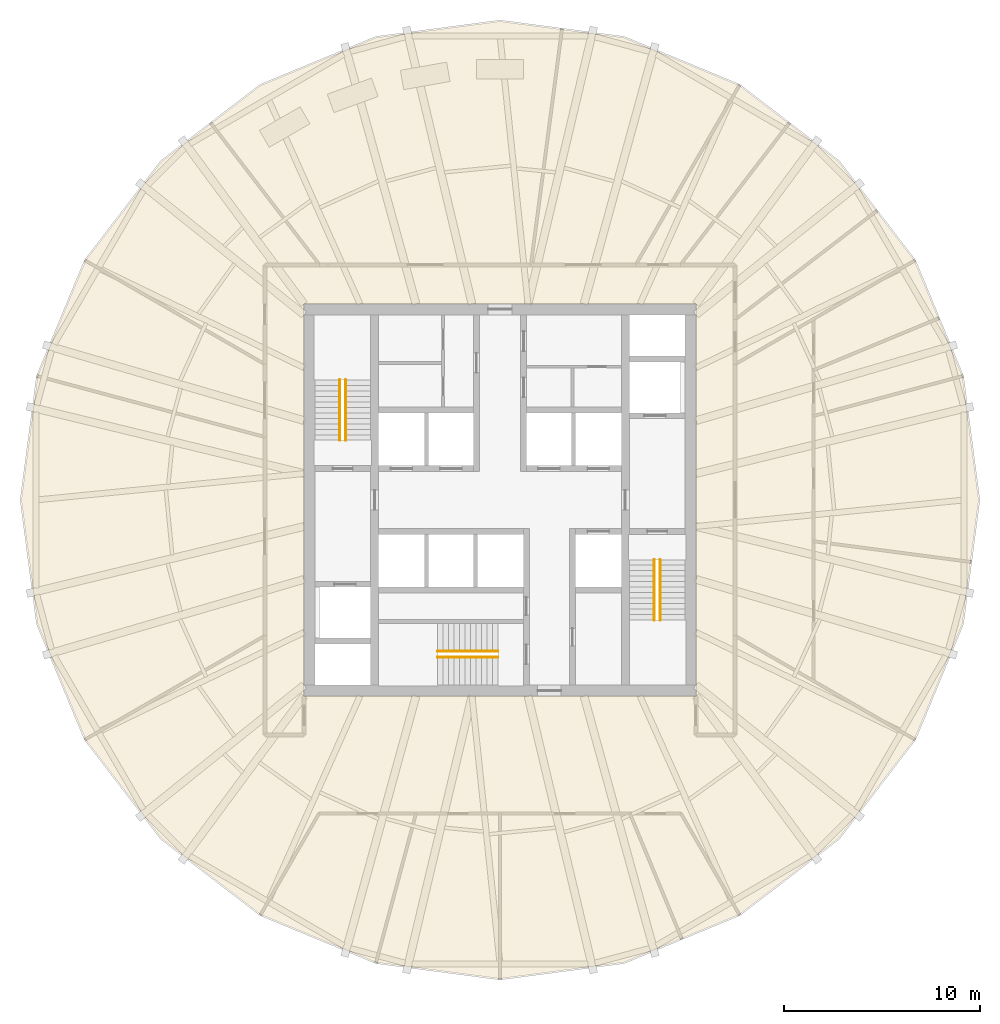
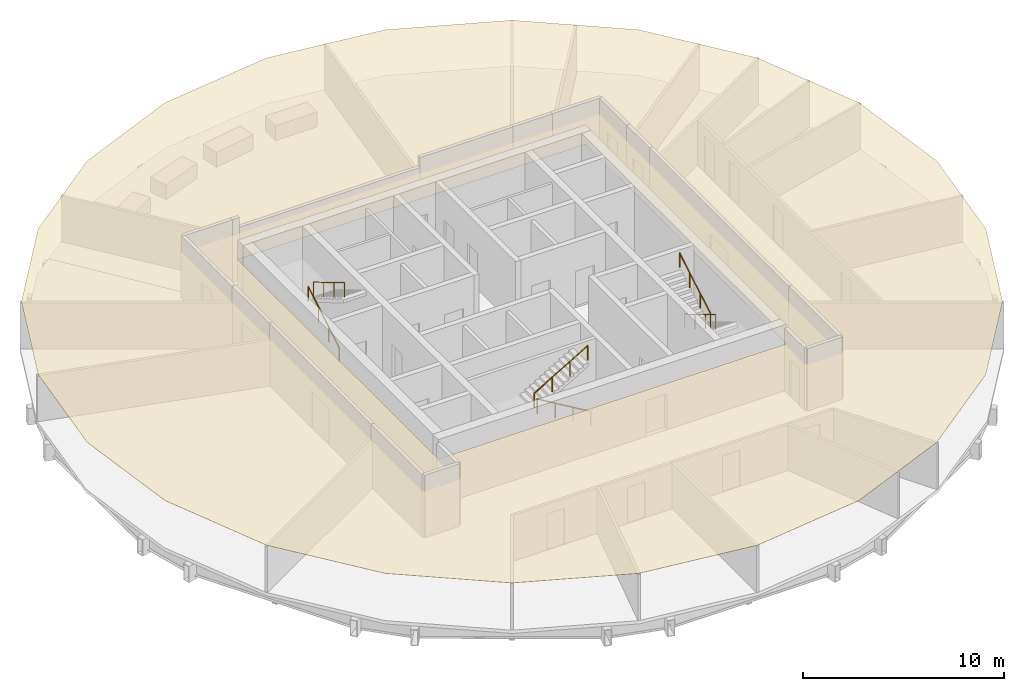
# One storey, part 6 of 7: 6 railings, 1 covering.
"""IFC4 building model written with IfcOpenShell, lengths in metres."""

from ifc_helpers import new_model, si_unit, direction, frame, origin, origin_2d, place, context, subcontext, project, spatial, polyline, circle, outline, extrude, material, layer, layer_set, type_object, element, save


model = new_model("IFC4")

# Units and contexts
model_context = context("Model", 3, precision=1e-05, world=origin(), true_north=direction((0.0, 1.0)))
body_context = subcontext(model_context, "Body", "Model", "MODEL_VIEW")
ifc_project = project(units=[si_unit("LENGTHUNIT", "METRE"), si_unit("AREAUNIT", "SQUARE_METRE"), si_unit("VOLUMEUNIT", "CUBIC_METRE"), si_unit("PLANEANGLEUNIT", "RADIAN"), si_unit("MASSUNIT", "GRAM", prefix="KILO")], contexts=[model_context])

# Site, building, storey
site_placement = place(None, origin())
site = spatial("IfcSite", under=ifc_project, at=site_placement, CompositionType="ELEMENT")
building_placement = place(site_placement, origin())
building = spatial("IfcBuilding", under=site, at=building_placement, Name="Golbaran Civic Tower", CompositionType="ELEMENT")
storey_placement = place(building_placement, frame((0.0, 0.0, 106.0)))
storey = spatial("IfcBuildingStorey", under=building, at=storey_placement, Name="L25", CompositionType="ELEMENT", Elevation=106.0)

# Railings
ifc_material_1 = material(Name="Stainless steel", Category="steel")
railing_type = type_object("IfcRailingType", Name="STAIR HANDRAIL 900", PredefinedType="HANDRAIL", material=ifc_material_1)
railing_1_placement = place(storey_placement, frame((-8.175048828125, 3.050048828125, 0.166748046875)))
element("IfcRailing", 1, at=railing_1_placement, inside=storey, type_object=railing_type, Name="Stair S1 handrail flight 1 L25", PredefinedType="HANDRAIL", context=body_context, shape_type="SweptSolid", body=[
    extrude(circle(Radius=0.02392578125, at=origin_2d()), frame((0.0, 0.0, 0.8759765625), z_axis=(0.0, 0.859290745958, 0.51148745235), x_axis=(-1.0, 0.0, 0.0)), (0.0, 0.0, 1.0), 3.584228515625),
    extrude(circle(Radius=0.02099609375, at=origin_2d()), origin(), (0.0, 0.0, 1.0), 0.851806640625),
    extrude(circle(Radius=0.02099609375, at=origin_2d()), frame((0.0, 1.026611328125, 0.611083984375)), (0.0, 0.0, 1.0), 0.851806640625),
    extrude(circle(Radius=0.02099609375, at=origin_2d()), frame((0.0, 2.05322265625, 1.22216796875)), (0.0, 0.0, 1.0), 0.851806640625),
    extrude(circle(Radius=0.02099609375, at=origin_2d()), frame((0.0, 3.079833984375, 1.833251953125)), (0.0, 0.0, 1.0), 0.851806640625),
])
for number, where, name in (
    (2, (-7.875, 6.1298828125, 2.166748046875), "Stair S1 handrail flight 2 L25"),
    (3, (8.175048828125, -3.050048828125, 0.166748046875), "Stair S2 handrail flight 1 L25"),
):
    element("IfcRailing", number, at=place(storey_placement, frame(where)), inside=storey, type_object=railing_type, Name=name, PredefinedType="HANDRAIL", context=body_context, shape_type="SweptSolid", body=[
        extrude(circle(Radius=0.02392578125, at=origin_2d()), frame((0.0, 0.0, 0.8759765625), z_axis=(0.0, -0.859290745958, 0.51148745235), x_axis=(1.0, 0.0, 0.0)), (0.0, 0.0, 1.0), 3.584228515625),
        extrude(circle(Radius=0.02099609375, at=origin_2d()), origin(), (0.0, 0.0, 1.0), 0.851806640625),
        extrude(circle(Radius=0.02099609375, at=origin_2d()), frame((0.0, -1.026611328125, 0.611083984375)), (0.0, 0.0, 1.0), 0.851806640625),
        extrude(circle(Radius=0.02099609375, at=origin_2d()), frame((0.0, -2.05322265625, 1.22216796875)), (0.0, 0.0, 1.0), 0.851806640625),
        extrude(circle(Radius=0.02099609375, at=origin_2d()), frame((0.0, -3.079833984375, 1.833251953125)), (0.0, 0.0, 1.0), 0.851806640625),
    ])
railing_2_placement = place(storey_placement, frame((7.875, -6.1298828125, 2.166748046875)))
element("IfcRailing", 4, at=railing_2_placement, inside=storey, type_object=railing_type, Name="Stair S2 handrail flight 2 L25", PredefinedType="HANDRAIL", context=body_context, shape_type="SweptSolid", body=[
    extrude(circle(Radius=0.02392578125, at=origin_2d()), frame((0.0, 0.0, 0.8759765625), z_axis=(0.0, 0.859290745958, 0.51148745235), x_axis=(-1.0, 0.0, 0.0)), (0.0, 0.0, 1.0), 3.584228515625),
    extrude(circle(Radius=0.02099609375, at=origin_2d()), origin(), (0.0, 0.0, 1.0), 0.851806640625),
    extrude(circle(Radius=0.02099609375, at=origin_2d()), frame((0.0, 1.026611328125, 0.611083984375)), (0.0, 0.0, 1.0), 0.851806640625),
    extrude(circle(Radius=0.02099609375, at=origin_2d()), frame((0.0, 2.05322265625, 1.22216796875)), (0.0, 0.0, 1.0), 0.851806640625),
    extrude(circle(Radius=0.02099609375, at=origin_2d()), frame((0.0, 3.079833984375, 1.833251953125)), (0.0, 0.0, 1.0), 0.851806640625),
])
railing_3_placement = place(storey_placement, frame((-0.10009765625, -8.02490234375, 0.166748046875)))
element("IfcRailing", 5, at=railing_3_placement, inside=storey, type_object=railing_type, Name="Stair S3 handrail flight 1 L25", PredefinedType="HANDRAIL", context=body_context, shape_type="SweptSolid", body=[
    extrude(circle(Radius=0.02392578125, at=origin_2d()), frame((0.0, 0.0, 0.8759765625), z_axis=(-0.859290745958, 0.0, 0.51148745235), x_axis=(0.0, -1.0, 0.0)), (0.0, 0.0, 1.0), 3.584228515625),
    extrude(circle(Radius=0.02099609375, at=origin_2d()), origin(), (0.0, 0.0, 1.0), 0.851806640625),
    extrude(circle(Radius=0.02099609375, at=origin_2d()), frame((-1.026611328125, 0.0, 0.611083984375)), (0.0, 0.0, 1.0), 0.851806640625),
    extrude(circle(Radius=0.02099609375, at=origin_2d()), frame((-2.05322265625, 0.0, 1.22216796875)), (0.0, 0.0, 1.0), 0.851806640625),
    extrude(circle(Radius=0.02099609375, at=origin_2d()), frame((-3.079833984375, 0.0, 1.833251953125)), (0.0, 0.0, 1.0), 0.851806640625),
])
railing_4_placement = place(storey_placement, frame((-3.179931640625, -7.72509765625, 2.166748046875)))
element("IfcRailing", 6, at=railing_4_placement, inside=storey, type_object=railing_type, Name="Stair S3 handrail flight 2 L25", PredefinedType="HANDRAIL", context=body_context, shape_type="SweptSolid", body=[
    extrude(circle(Radius=0.02392578125, at=origin_2d()), frame((0.0, 0.0, 0.8759765625), z_axis=(0.859290745958, 0.0, 0.51148745235), x_axis=(0.0, 1.0, 0.0)), (0.0, 0.0, 1.0), 3.584228515625),
    extrude(circle(Radius=0.02099609375, at=origin_2d()), origin(), (0.0, 0.0, 1.0), 0.851806640625),
    extrude(circle(Radius=0.02099609375, at=origin_2d()), frame((1.026611328125, 0.0, 0.611083984375)), (0.0, 0.0, 1.0), 0.851806640625),
    extrude(circle(Radius=0.02099609375, at=origin_2d()), frame((2.05322265625, 0.0, 1.22216796875)), (0.0, 0.0, 1.0), 0.851806640625),
    extrude(circle(Radius=0.02099609375, at=origin_2d()), frame((3.079833984375, 0.0, 1.833251953125)), (0.0, 0.0, 1.0), 0.851806640625),
])

# Covering
ifc_material_2 = material(Name="Mineral fibre tile on steel grid", Category="steel")
ifc_layer = layer(ifc_material_2, 0.02001953125, Name="Mineral fibre tile on steel grid")
ifc_layer_set = layer_set([ifc_layer], Name="Mineral fibre tile on steel grid")
covering_type = type_object("IfcCoveringType", Name="SUSPENDED CEILING 600 TILE 20", PredefinedType="CEILING", material=ifc_layer_set)
covering_placement = place(storey_placement, frame((0.0, 0.0, 2.800048828125)))
element("IfcCovering", 7, at=covering_placement, inside=storey, type_object=covering_type, Name="Suspended ceiling L25", PredefinedType="CEILING", context=body_context, shape_type="SweptSolid", body=[
    extrude(outline(polyline([(-12.214111328125, 21.1552734375), (-6.322509765625, 23.595703125), (0.0, 24.427978515625), (6.322509765625, 23.595703125), (12.214111328125, 21.1552734375), (17.273193359375, 17.273193359375), (21.1552734375, 12.214111328125), (22.432861328125, 9.129638671875), (23.595703125, 6.322509765625), (24.427978515625, 0.0), (23.595703125, -6.322509765625), (21.1552734375, -12.214111328125), (17.273193359375, -17.273193359375), (12.214111328125, -21.1552734375), (9.129638671875, -22.432861328125), (6.322509765625, -23.595703125), (0.0, -24.427978515625), (-6.322509765625, -23.595703125), (-12.214111328125, -21.1552734375), (-17.273193359375, -17.273193359375), (-21.1552734375, -12.214111328125), (-23.595703125, -6.322509765625), (-24.427978515625, 0.0), (-23.595703125, 6.322509765625), (-21.1552734375, 12.214111328125), (-17.273193359375, 17.273193359375), (-12.214111328125, 21.1552734375)]), holes=[polyline([(10.0, -10.0), (10.0, 10.0), (-10.0, 10.0), (-10.0, -10.0), (10.0, -10.0)])]), origin(), (0.0, 0.0, 1.0), 0.02001953125),
])

save(model, "model.ifc")
